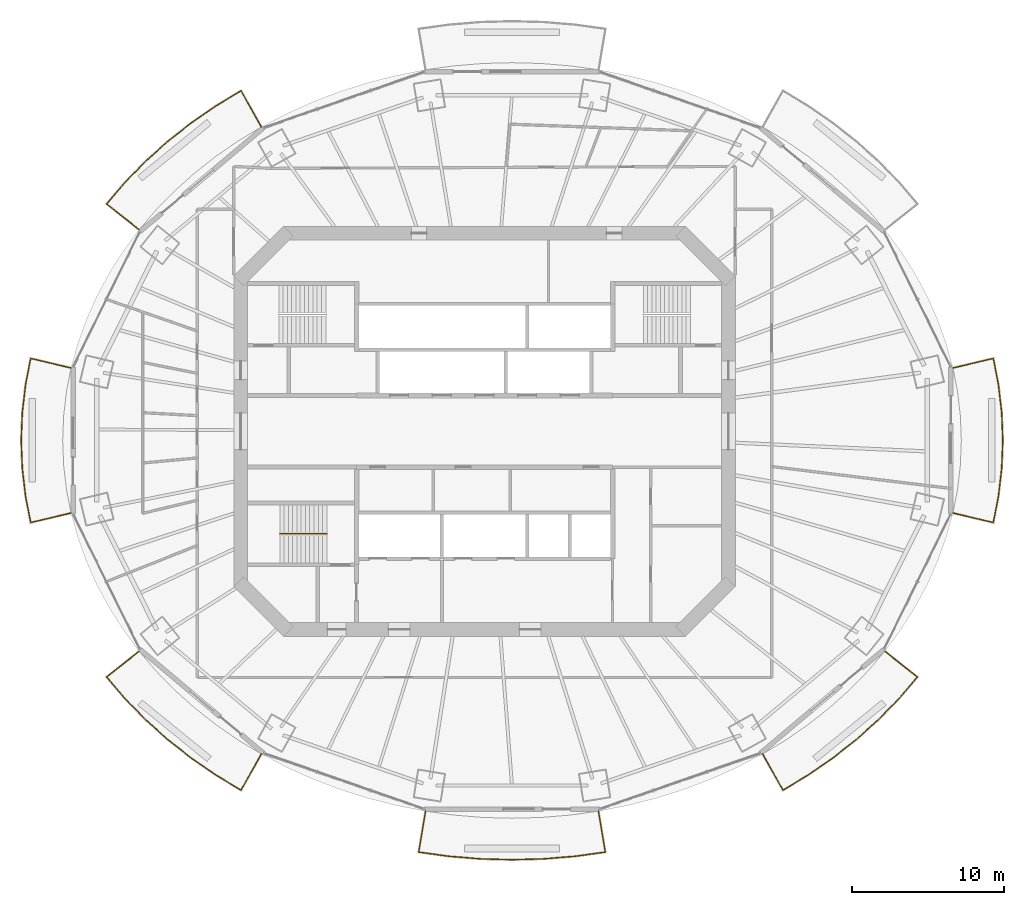
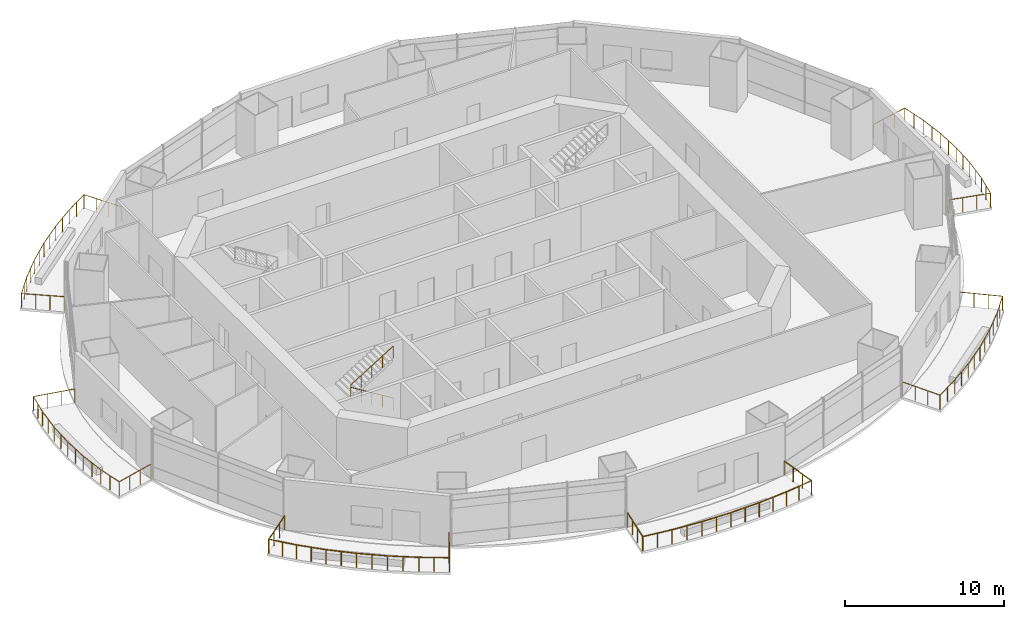
# One storey, part 14 of 16: 7 railings.
"""IFC4 building model written with IfcOpenShell, lengths in metres."""

from ifc_helpers import new_model, si_unit, direction, frame, origin, origin_2d, place, context, subcontext, project, spatial, circle, extrude, material, type_object, element, save


model = new_model("IFC4")

# Units and contexts
model_context = context("Model", 3, precision=1e-05, world=origin(), true_north=direction((0.0, 1.0)))
body_context = subcontext(model_context, "Body", "Model", "MODEL_VIEW")
ifc_project = project(units=[si_unit("LENGTHUNIT", "METRE"), si_unit("AREAUNIT", "SQUARE_METRE"), si_unit("VOLUMEUNIT", "CUBIC_METRE"), si_unit("PLANEANGLEUNIT", "RADIAN"), si_unit("MASSUNIT", "GRAM", prefix="KILO")], contexts=[model_context])

# Site, building, storey
site_placement = place(None, origin())
site = spatial("IfcSite", under=ifc_project, at=site_placement, CompositionType="ELEMENT")
building_placement = place(site_placement, origin())
building = spatial("IfcBuilding", under=site, at=building_placement, Name="Marenthal Gate Tower", CompositionType="ELEMENT")
storey_placement = place(building_placement, frame((0.0, 0.0, 268.949951171875)))
storey = spatial("IfcBuildingStorey", under=building, at=storey_placement, Name="L60", CompositionType="ELEMENT", Elevation=268.949951171875)

# Railings
ifc_material_1 = material(Name="Stainless steel", Category="steel")
railing_type_1 = type_object("IfcRailingType", Name="Balcony guard 1100", PredefinedType="GUARDRAIL", material=ifc_material_1)
railing_1_placement = place(storey_placement, frame((-22.662841796875, 13.234130859375, 0.0)))
element("IfcRailing", 1, at=railing_1_placement, inside=storey, type_object=railing_type_1, Name="Balcony guard L60 bay 6", PredefinedType="GUARDRAIL", context=body_context, shape_type="SweptSolid", body=[
    extrude(circle(Radius=0.02392578125, at=origin_2d()), frame((0.0, 0.0, 1.076171875), z_axis=(-0.783133988628, 0.621678792027, -0.014718539323), x_axis=(-0.621746141787, -0.783218829685, 0.0)), (0.0, 0.0, 1.0), 2.72021484375),
    extrude(circle(Radius=0.02392578125, at=origin_2d()), frame((-2.13037109375, 1.691162109375, 1.0361328125), z_axis=(0.649762582355, 0.760137215621, 0.0), x_axis=(-0.760137215621, 0.649762582355, 0.0)), (0.0, 0.0, 1.0), 1.838134765625),
    extrude(circle(Radius=0.02392578125, at=origin_2d()), frame((-0.93603515625, 3.08837890625, 1.0361328125), z_axis=(0.698468992186, 0.715640319543, 0.0), x_axis=(-0.715640319543, 0.698468992186, 0.0)), (0.0, 0.0, 1.0), 1.93359375),
    extrude(circle(Radius=0.02392578125, at=origin_2d()), frame((0.41455078125, 4.47216796875, 1.0361328125), z_axis=(0.744090634805, 0.668078683387, 0.0), x_axis=(-0.668078683387, 0.744090634805, 0.0)), (0.0, 0.0, 1.0), 1.94970703125),
    extrude(circle(Radius=0.02392578125, at=origin_2d()), frame((1.865234375, 5.774658203125, 1.0361328125), z_axis=(0.78557216762, 0.618770045705, 0.0), x_axis=(-0.618770045705, 0.78557216762, 0.0)), (0.0, 0.0, 1.0), 1.965576171875),
    extrude(circle(Radius=0.02392578125, at=origin_2d()), frame((3.409423828125, 6.990966796875, 1.0361328125), z_axis=(0.823034037929, 0.567992053122, 0.0), x_axis=(-0.567992053122, 0.823034037929, 0.0)), (0.0, 0.0, 1.0), 1.9814453125),
    extrude(circle(Radius=0.02392578125, at=origin_2d()), frame((5.040283203125, 8.116455078125, 1.0361328125), z_axis=(0.855836862024, 0.517245846383, 0.0), x_axis=(-0.517245846383, 0.855836862024, 0.0)), (0.0, 0.0, 1.0), 1.917236328125),
    extrude(circle(Radius=0.02392578125, at=origin_2d()), frame((6.68115234375, 9.108154296875, 1.0361328125), z_axis=(0.490110126521, -0.87153624586, 0.01471856084), x_axis=(0.871630664279, 0.490163222905, 0.0)), (0.0, 0.0, 1.0), 2.72021484375),
    extrude(circle(Radius=0.02099609375, at=origin_2d()), origin(), (0.0, 0.0, 1.0), 1.052001953125),
    extrude(circle(Radius=0.02099609375, at=origin_2d()), frame((-0.710205078125, 0.563720703125, -0.013427734375)), (0.0, 0.0, 1.0), 1.052001953125),
    extrude(circle(Radius=0.02099609375, at=origin_2d()), frame((-1.420166015625, 1.12744140625, -0.026611328125)), (0.0, 0.0, 1.0), 1.052001953125),
    extrude(circle(Radius=0.02099609375, at=origin_2d()), frame((-2.13037109375, 1.691162109375, -0.0400390625)), (0.0, 0.0, 1.0), 1.052001953125),
    extrude(circle(Radius=0.02099609375, at=origin_2d()), frame((-1.533203125, 2.3896484375, -0.0400390625)), (0.0, 0.0, 1.0), 1.052001953125),
    extrude(circle(Radius=0.02099609375, at=origin_2d()), frame((-0.93603515625, 3.08837890625, -0.0400390625)), (0.0, 0.0, 1.0), 1.052001953125),
    extrude(circle(Radius=0.02099609375, at=origin_2d()), frame((-0.2607421875, 3.7802734375, -0.0400390625)), (0.0, 0.0, 1.0), 1.052001953125),
    extrude(circle(Radius=0.02099609375, at=origin_2d()), frame((0.41455078125, 4.47216796875, -0.0400390625)), (0.0, 0.0, 1.0), 1.052001953125),
    extrude(circle(Radius=0.02099609375, at=origin_2d()), frame((1.139892578125, 5.12353515625, -0.0400390625)), (0.0, 0.0, 1.0), 1.052001953125),
    extrude(circle(Radius=0.02099609375, at=origin_2d()), frame((1.865234375, 5.774658203125, -0.0400390625)), (0.0, 0.0, 1.0), 1.052001953125),
    extrude(circle(Radius=0.02099609375, at=origin_2d()), frame((2.63720703125, 6.3828125, -0.0400390625)), (0.0, 0.0, 1.0), 1.052001953125),
    extrude(circle(Radius=0.02099609375, at=origin_2d()), frame((3.409423828125, 6.990966796875, -0.0400390625)), (0.0, 0.0, 1.0), 1.052001953125),
    extrude(circle(Radius=0.02099609375, at=origin_2d()), frame((4.224853515625, 7.5537109375, -0.0400390625)), (0.0, 0.0, 1.0), 1.052001953125),
    extrude(circle(Radius=0.02099609375, at=origin_2d()), frame((5.040283203125, 8.116455078125, -0.0400390625)), (0.0, 0.0, 1.0), 1.052001953125),
    extrude(circle(Radius=0.02099609375, at=origin_2d()), frame((5.86083984375, 8.6123046875, -0.0400390625)), (0.0, 0.0, 1.0), 1.052001953125),
    extrude(circle(Radius=0.02099609375, at=origin_2d()), frame((6.68115234375, 9.108154296875, -0.0400390625)), (0.0, 0.0, 1.0), 1.052001953125),
    extrude(circle(Radius=0.02099609375, at=origin_2d()), frame((7.12548828125, 8.31787109375, -0.026611328125)), (0.0, 0.0, 1.0), 1.052001953125),
    extrude(circle(Radius=0.02099609375, at=origin_2d()), frame((7.570068359375, 7.527587890625, -0.013427734375)), (0.0, 0.0, 1.0), 1.052001953125),
    extrude(circle(Radius=0.02099609375, at=origin_2d()), frame((8.014404296875, 6.7373046875, 0.0)), (0.0, 0.0, 1.0), 1.052001953125),
])
railing_2_placement = place(storey_placement, frame((-27.1328125, -5.358154296875, 0.0)))
element("IfcRailing", 2, at=railing_2_placement, inside=storey, type_object=railing_type_1, Name="Balcony guard L60 bay 8", PredefinedType="GUARDRAIL", context=body_context, shape_type="SweptSolid", body=[
    extrude(circle(Radius=0.02392578125, at=origin_2d()), frame((0.0, 0.0, 1.076171875), z_axis=(-0.973097096147, -0.229924814196, -0.014718059925), x_axis=(0.229949721547, -0.973202510046, 0.0)), (0.0, 0.0, 1.0), 2.720458984375),
    extrude(circle(Radius=0.02392578125, at=origin_2d()), frame((-2.647216796875, -0.62548828125, 1.0361328125), z_axis=(-0.190992168811, 0.981591560402, 0.0), x_axis=(-0.981591560402, -0.190992168811, 0.0)), (0.0, 0.0, 1.0), 1.76025390625),
    extrude(circle(Radius=0.02392578125, at=origin_2d()), frame((-2.9833984375, 1.102294921875, 1.0361328125), z_axis=(-0.116223982804, 0.993223029244, 0.0), x_axis=(-0.993223029244, -0.116223982804, 0.0)), (0.0, 0.0, 1.0), 1.8359375),
    extrude(circle(Radius=0.02392578125, at=origin_2d()), frame((-3.19677734375, 2.92578125, 1.0361328125), z_axis=(-0.038877979739, 0.999243965552, 0.0), x_axis=(-0.999243965552, -0.038877979739, 0.0)), (0.0, 0.0, 1.0), 1.833740234375),
    extrude(circle(Radius=0.02392578125, at=origin_2d()), frame((-3.26806640625, 4.758056640625, 1.0361328125), z_axis=(0.038872807979, 0.999244166758, 0.0), x_axis=(-0.999244166758, 0.038872807979, 0.0)), (0.0, 0.0, 1.0), 1.833984375),
    extrude(circle(Radius=0.02392578125, at=origin_2d()), frame((-3.19677734375, 6.590576171875, 1.0361328125), z_axis=(0.116223982804, 0.993223029244, 0.0), x_axis=(-0.993223029244, 0.116223982804, 0.0)), (0.0, 0.0, 1.0), 1.8359375),
    extrude(circle(Radius=0.02392578125, at=origin_2d()), frame((-2.9833984375, 8.4140625, 1.0361328125), z_axis=(0.190992168811, 0.981591560402, 0.0), x_axis=(-0.981591560402, 0.190992168811, 0.0)), (0.0, 0.0, 1.0), 1.76025390625),
    extrude(circle(Radius=0.02392578125, at=origin_2d()), frame((-2.647216796875, 10.141845703125, 1.0361328125), z_axis=(0.973077013542, -0.230009811464, 0.014717756176), x_axis=(0.230034726995, 0.973182420914, 0.0)), (0.0, 0.0, 1.0), 2.720458984375),
    extrude(circle(Radius=0.02099609375, at=origin_2d()), origin(), (0.0, 0.0, 1.0), 1.052001953125),
    extrude(circle(Radius=0.02099609375, at=origin_2d()), frame((-0.88232421875, -0.20849609375, -0.013427734375)), (0.0, 0.0, 1.0), 1.052001953125),
    extrude(circle(Radius=0.02099609375, at=origin_2d()), frame((-1.764892578125, -0.4169921875, -0.026611328125)), (0.0, 0.0, 1.0), 1.052001953125),
    extrude(circle(Radius=0.02099609375, at=origin_2d()), frame((-2.647216796875, -0.62548828125, -0.0400390625)), (0.0, 0.0, 1.0), 1.052001953125),
    extrude(circle(Radius=0.02099609375, at=origin_2d()), frame((-2.8154296875, 0.23828125, -0.0400390625)), (0.0, 0.0, 1.0), 1.052001953125),
    extrude(circle(Radius=0.02099609375, at=origin_2d()), frame((-2.9833984375, 1.102294921875, -0.0400390625)), (0.0, 0.0, 1.0), 1.052001953125),
    extrude(circle(Radius=0.02099609375, at=origin_2d()), frame((-3.090087890625, 2.01416015625, -0.0400390625)), (0.0, 0.0, 1.0), 1.052001953125),
    extrude(circle(Radius=0.02099609375, at=origin_2d()), frame((-3.19677734375, 2.92578125, -0.0400390625)), (0.0, 0.0, 1.0), 1.052001953125),
    extrude(circle(Radius=0.02099609375, at=origin_2d()), frame((-3.232421875, 3.841796875, -0.0400390625)), (0.0, 0.0, 1.0), 1.052001953125),
    extrude(circle(Radius=0.02099609375, at=origin_2d()), frame((-3.26806640625, 4.758056640625, -0.0400390625)), (0.0, 0.0, 1.0), 1.052001953125),
    extrude(circle(Radius=0.02099609375, at=origin_2d()), frame((-3.232421875, 5.67431640625, -0.0400390625)), (0.0, 0.0, 1.0), 1.052001953125),
    extrude(circle(Radius=0.02099609375, at=origin_2d()), frame((-3.19677734375, 6.590576171875, -0.0400390625)), (0.0, 0.0, 1.0), 1.052001953125),
    extrude(circle(Radius=0.02099609375, at=origin_2d()), frame((-3.090087890625, 7.50244140625, -0.0400390625)), (0.0, 0.0, 1.0), 1.052001953125),
    extrude(circle(Radius=0.02099609375, at=origin_2d()), frame((-2.9833984375, 8.4140625, -0.0400390625)), (0.0, 0.0, 1.0), 1.052001953125),
    extrude(circle(Radius=0.02099609375, at=origin_2d()), frame((-2.8154296875, 9.27783203125, -0.0400390625)), (0.0, 0.0, 1.0), 1.052001953125),
    extrude(circle(Radius=0.02099609375, at=origin_2d()), frame((-2.647216796875, 10.141845703125, -0.0400390625)), (0.0, 0.0, 1.0), 1.052001953125),
    extrude(circle(Radius=0.02099609375, at=origin_2d()), frame((-1.764892578125, 9.933349609375, -0.026611328125)), (0.0, 0.0, 1.0), 1.052001953125),
    extrude(circle(Radius=0.02099609375, at=origin_2d()), frame((-0.88232421875, 9.724609375, -0.013427734375)), (0.0, 0.0, 1.0), 1.052001953125),
    extrude(circle(Radius=0.02099609375, at=origin_2d()), frame((0.0, 9.51611328125, 0.0)), (0.0, 0.0, 1.0), 1.052001953125),
])
railing_3_placement = place(storey_placement, frame((-14.6484375, -21.17138671875, 0.0)))
element("IfcRailing", 3, at=railing_3_placement, inside=storey, type_object=railing_type_1, Name="Balcony guard L60 bay 10", PredefinedType="GUARDRAIL", context=body_context, shape_type="SweptSolid", body=[
    extrude(circle(Radius=0.02392578125, at=origin_2d()), frame((0.0, 0.0, 1.076171875), z_axis=(-0.490110126521, -0.87153624586, -0.01471856084), x_axis=(0.871630664279, -0.490163222905, 0.0)), (0.0, 0.0, 1.0), 2.72021484375),
    extrude(circle(Radius=0.02392578125, at=origin_2d()), frame((-1.333251953125, -2.370849609375, 1.0361328125), z_axis=(-0.855836862024, 0.517245846383, 0.0), x_axis=(-0.517245846383, -0.855836862024, 0.0)), (0.0, 0.0, 1.0), 1.917236328125),
    extrude(circle(Radius=0.02392578125, at=origin_2d()), frame((-2.97412109375, -1.379150390625, 1.0361328125), z_axis=(-0.823034037929, 0.567992053122, 0.0), x_axis=(-0.567992053122, -0.823034037929, 0.0)), (0.0, 0.0, 1.0), 1.9814453125),
    extrude(circle(Radius=0.02392578125, at=origin_2d()), frame((-4.60498046875, -0.253662109375, 1.0361328125), z_axis=(-0.785632541266, 0.618693389414, 0.0), x_axis=(-0.618693389414, -0.785632541266, 0.0)), (0.0, 0.0, 1.0), 1.965576171875),
    extrude(circle(Radius=0.02392578125, at=origin_2d()), frame((-6.149169921875, 0.96240234375, 1.0361328125), z_axis=(-0.744090634805, 0.668078683387, 0.0), x_axis=(-0.668078683387, -0.744090634805, 0.0)), (0.0, 0.0, 1.0), 1.94970703125),
    extrude(circle(Radius=0.02392578125, at=origin_2d()), frame((-7.599853515625, 2.264892578125, 1.0361328125), z_axis=(-0.698405883907, 0.715701908147, 0.0), x_axis=(-0.715701908147, -0.698405883907, 0.0)), (0.0, 0.0, 1.0), 1.933837890625),
    extrude(circle(Radius=0.02392578125, at=origin_2d()), frame((-8.950439453125, 3.64892578125, 1.0361328125), z_axis=(-0.649828188236, 0.760081131047, 0.0), x_axis=(-0.760081131047, -0.649828188236, 0.0)), (0.0, 0.0, 1.0), 1.837890625),
    extrude(circle(Radius=0.02392578125, at=origin_2d()), frame((-10.144775390625, 5.0458984375, 1.0361328125), z_axis=(0.783090295012, 0.62173384871, 0.014717718128), x_axis=(-0.621801196917, 0.783175121868, 0.0)), (0.0, 0.0, 1.0), 2.720458984375),
    extrude(circle(Radius=0.02099609375, at=origin_2d()), origin(), (0.0, 0.0, 1.0), 1.052001953125),
    extrude(circle(Radius=0.02099609375, at=origin_2d()), frame((-0.4443359375, -0.790283203125, -0.013427734375)), (0.0, 0.0, 1.0), 1.052001953125),
    extrude(circle(Radius=0.02099609375, at=origin_2d()), frame((-0.888916015625, -1.58056640625, -0.026611328125)), (0.0, 0.0, 1.0), 1.052001953125),
    extrude(circle(Radius=0.02099609375, at=origin_2d()), frame((-1.333251953125, -2.370849609375, -0.0400390625)), (0.0, 0.0, 1.0), 1.052001953125),
    extrude(circle(Radius=0.02099609375, at=origin_2d()), frame((-2.15380859375, -1.875, -0.0400390625)), (0.0, 0.0, 1.0), 1.052001953125),
    extrude(circle(Radius=0.02099609375, at=origin_2d()), frame((-2.97412109375, -1.379150390625, -0.0400390625)), (0.0, 0.0, 1.0), 1.052001953125),
    extrude(circle(Radius=0.02099609375, at=origin_2d()), frame((-3.78955078125, -0.81640625, -0.0400390625)), (0.0, 0.0, 1.0), 1.052001953125),
    extrude(circle(Radius=0.02099609375, at=origin_2d()), frame((-4.60498046875, -0.253662109375, -0.0400390625)), (0.0, 0.0, 1.0), 1.052001953125),
    extrude(circle(Radius=0.02099609375, at=origin_2d()), frame((-5.376953125, 0.3544921875, -0.0400390625)), (0.0, 0.0, 1.0), 1.052001953125),
    extrude(circle(Radius=0.02099609375, at=origin_2d()), frame((-6.149169921875, 0.96240234375, -0.0400390625)), (0.0, 0.0, 1.0), 1.052001953125),
    extrude(circle(Radius=0.02099609375, at=origin_2d()), frame((-6.87451171875, 1.61376953125, -0.0400390625)), (0.0, 0.0, 1.0), 1.052001953125),
    extrude(circle(Radius=0.02099609375, at=origin_2d()), frame((-7.599853515625, 2.264892578125, -0.0400390625)), (0.0, 0.0, 1.0), 1.052001953125),
    extrude(circle(Radius=0.02099609375, at=origin_2d()), frame((-8.275146484375, 2.95703125, -0.0400390625)), (0.0, 0.0, 1.0), 1.052001953125),
    extrude(circle(Radius=0.02099609375, at=origin_2d()), frame((-8.950439453125, 3.64892578125, -0.0400390625)), (0.0, 0.0, 1.0), 1.052001953125),
    extrude(circle(Radius=0.02099609375, at=origin_2d()), frame((-9.547607421875, 4.347412109375, -0.0400390625)), (0.0, 0.0, 1.0), 1.052001953125),
    extrude(circle(Radius=0.02099609375, at=origin_2d()), frame((-10.144775390625, 5.0458984375, -0.0400390625)), (0.0, 0.0, 1.0), 1.052001953125),
    extrude(circle(Radius=0.02099609375, at=origin_2d()), frame((-9.4345703125, 5.609619140625, -0.026611328125)), (0.0, 0.0, 1.0), 1.052001953125),
    extrude(circle(Radius=0.02099609375, at=origin_2d()), frame((-8.724609375, 6.173583984375, -0.013427734375)), (0.0, 0.0, 1.0), 1.052001953125),
    extrude(circle(Radius=0.02099609375, at=origin_2d()), frame((-8.014404296875, 6.7373046875, 0.0)), (0.0, 0.0, 1.0), 1.052001953125),
])
railing_4_placement = place(storey_placement, frame((7.47265625, -24.9248046875, 0.0)))
element("IfcRailing", 4, at=railing_4_placement, inside=storey, type_object=railing_type_1, Name="Balcony guard L60 bay 12", PredefinedType="GUARDRAIL", context=body_context, shape_type="SweptSolid", body=[
    extrude(circle(Radius=0.02392578125, at=origin_2d()), frame((0.0, 0.0, 1.076171875), z_axis=(0.165036020711, -0.986177722452, -0.014717731048), x_axis=(0.986284548578, 0.165053897974, 0.0)), (0.0, 0.0, 1.0), 2.720458984375),
    extrude(circle(Radius=0.02392578125, at=origin_2d()), frame((0.448974609375, -2.682861328125, 1.0361328125), z_axis=(-0.990659403163, -0.136359623512, 0.0), x_axis=(0.136359623512, -0.990659403163, 0.0)), (0.0, 0.0, 1.0), 1.99267578125),
    extrude(circle(Radius=0.02392578125, at=origin_2d()), frame((-1.525146484375, -2.95458984375, 1.0361328125), z_axis=(-0.996588596439, -0.082529809449, 0.0), x_axis=(0.082529809449, -0.996588596439, 0.0)), (0.0, 0.0, 1.0), 2.07666015625),
    extrude(circle(Radius=0.02392578125, at=origin_2d()), frame((-3.5947265625, -3.1259765625, 1.0361328125), z_axis=(-0.999622258755, -0.027483445958, 0.0), x_axis=(0.027483445958, -0.999622258755, 0.0)), (0.0, 0.0, 1.0), 2.07861328125),
    extrude(circle(Radius=0.02392578125, at=origin_2d()), frame((-5.672607421875, -3.18310546875, 1.0361328125), z_axis=(-0.999622258755, 0.027483445958, 0.0), x_axis=(-0.027483445958, -0.999622258755, 0.0)), (0.0, 0.0, 1.0), 2.07861328125),
    extrude(circle(Radius=0.02392578125, at=origin_2d()), frame((-7.75048828125, -3.1259765625, 1.0361328125), z_axis=(-0.996588596439, 0.082529809449, 0.0), x_axis=(-0.082529809449, -0.996588596439, 0.0)), (0.0, 0.0, 1.0), 2.07666015625),
    extrude(circle(Radius=0.02392578125, at=origin_2d()), frame((-9.820068359375, -2.95458984375, 1.0361328125), z_axis=(-0.990661680793, 0.136343075395, 0.0), x_axis=(-0.136343075395, -0.990661680793, 0.0)), (0.0, 0.0, 1.0), 1.992919921875),
    extrude(circle(Radius=0.02392578125, at=origin_2d()), frame((-11.79443359375, -2.682861328125, 1.0361328125), z_axis=(0.165123316733, 0.986163112817, 0.014717513013), x_axis=(-0.986269934195, 0.165141202923, 0.0)), (0.0, 0.0, 1.0), 2.720458984375),
    extrude(circle(Radius=0.02099609375, at=origin_2d()), origin(), (0.0, 0.0, 1.0), 1.052001953125),
    extrude(circle(Radius=0.02099609375, at=origin_2d()), frame((0.149658203125, -0.894287109375, -0.013427734375)), (0.0, 0.0, 1.0), 1.052001953125),
    extrude(circle(Radius=0.02099609375, at=origin_2d()), frame((0.29931640625, -1.78857421875, -0.026611328125)), (0.0, 0.0, 1.0), 1.052001953125),
    extrude(circle(Radius=0.02099609375, at=origin_2d()), frame((0.448974609375, -2.682861328125, -0.0400390625)), (0.0, 0.0, 1.0), 1.052001953125),
    extrude(circle(Radius=0.02099609375, at=origin_2d()), frame((-0.5380859375, -2.81884765625, -0.0400390625)), (0.0, 0.0, 1.0), 1.052001953125),
    extrude(circle(Radius=0.02099609375, at=origin_2d()), frame((-1.525146484375, -2.95458984375, -0.0400390625)), (0.0, 0.0, 1.0), 1.052001953125),
    extrude(circle(Radius=0.02099609375, at=origin_2d()), frame((-2.56005859375, -3.040283203125, -0.0400390625)), (0.0, 0.0, 1.0), 1.052001953125),
    extrude(circle(Radius=0.02099609375, at=origin_2d()), frame((-3.5947265625, -3.1259765625, -0.0400390625)), (0.0, 0.0, 1.0), 1.052001953125),
    extrude(circle(Radius=0.02099609375, at=origin_2d()), frame((-4.6337890625, -3.154541015625, -0.0400390625)), (0.0, 0.0, 1.0), 1.052001953125),
    extrude(circle(Radius=0.02099609375, at=origin_2d()), frame((-5.672607421875, -3.18310546875, -0.0400390625)), (0.0, 0.0, 1.0), 1.052001953125),
    extrude(circle(Radius=0.02099609375, at=origin_2d()), frame((-6.71142578125, -3.154541015625, -0.0400390625)), (0.0, 0.0, 1.0), 1.052001953125),
    extrude(circle(Radius=0.02099609375, at=origin_2d()), frame((-7.75048828125, -3.1259765625, -0.0400390625)), (0.0, 0.0, 1.0), 1.052001953125),
    extrude(circle(Radius=0.02099609375, at=origin_2d()), frame((-8.78515625, -3.040283203125, -0.0400390625)), (0.0, 0.0, 1.0), 1.052001953125),
    extrude(circle(Radius=0.02099609375, at=origin_2d()), frame((-9.820068359375, -2.95458984375, -0.0400390625)), (0.0, 0.0, 1.0), 1.052001953125),
    extrude(circle(Radius=0.02099609375, at=origin_2d()), frame((-10.80712890625, -2.81884765625, -0.0400390625)), (0.0, 0.0, 1.0), 1.052001953125),
    extrude(circle(Radius=0.02099609375, at=origin_2d()), frame((-11.79443359375, -2.682861328125, -0.0400390625)), (0.0, 0.0, 1.0), 1.052001953125),
    extrude(circle(Radius=0.02099609375, at=origin_2d()), frame((-11.644775390625, -1.78857421875, -0.026611328125)), (0.0, 0.0, 1.0), 1.052001953125),
    extrude(circle(Radius=0.02099609375, at=origin_2d()), frame((-11.494873046875, -0.894287109375, -0.013427734375)), (0.0, 0.0, 1.0), 1.052001953125),
    extrude(circle(Radius=0.02099609375, at=origin_2d()), frame((-11.34521484375, 0.0, 0.0)), (0.0, 0.0, 1.0), 1.052001953125),
])
railing_5_placement = place(storey_placement, frame((26.262939453125, -14.43408203125, 0.0)))
element("IfcRailing", 5, at=railing_5_placement, inside=storey, type_object=railing_type_1, Name="Balcony guard L60 bay 14", PredefinedType="GUARDRAIL", context=body_context, shape_type="SweptSolid", body=[
    extrude(circle(Radius=0.02392578125, at=origin_2d()), frame((0.0, 0.0, 1.076171875), z_axis=(0.783055581805, -0.621777543925, -0.014718752483), x_axis=(0.621844906334, 0.783140416826, 0.0)), (0.0, 0.0, 1.0), 2.72021484375),
    extrude(circle(Radius=0.02392578125, at=origin_2d()), frame((2.130126953125, -1.69140625, 1.0361328125), z_axis=(-0.649828188236, -0.760081131047, 0.0), x_axis=(0.760081131047, -0.649828188236, 0.0)), (0.0, 0.0, 1.0), 1.837890625),
    extrude(circle(Radius=0.02392578125, at=origin_2d()), frame((0.935791015625, -3.08837890625, 1.0361328125), z_axis=(-0.698341207258, -0.715765016081, 0.0), x_axis=(0.715765016081, -0.698341207258, 0.0)), (0.0, 0.0, 1.0), 1.93359375),
    extrude(circle(Radius=0.02392578125, at=origin_2d()), frame((-0.41455078125, -4.472412109375, 1.0361328125), z_axis=(-0.744090634805, -0.668078683387, 0.0), x_axis=(0.668078683387, -0.744090634805, 0.0)), (0.0, 0.0, 1.0), 1.94970703125),
    extrude(circle(Radius=0.02392578125, at=origin_2d()), frame((-1.865234375, -5.77490234375, 1.0361328125), z_axis=(-0.785632541266, -0.618693389414, 0.0), x_axis=(0.618693389414, -0.785632541266, 0.0)), (0.0, 0.0, 1.0), 1.965576171875),
    extrude(circle(Radius=0.02392578125, at=origin_2d()), frame((-3.409423828125, -6.990966796875, 1.0361328125), z_axis=(-0.823073780852, -0.567934460369, 0.0), x_axis=(0.567934460369, -0.823073780852, 0.0)), (0.0, 0.0, 1.0), 1.981689453125),
    extrude(circle(Radius=0.02392578125, at=origin_2d()), frame((-5.04052734375, -8.116455078125, 1.0361328125), z_axis=(-0.855802788103, -0.517302221023, 0.0), x_axis=(0.517302221023, -0.855802788103, 0.0)), (0.0, 0.0, 1.0), 1.9169921875),
    extrude(circle(Radius=0.02392578125, at=origin_2d()), frame((-6.68115234375, -9.108154296875, 1.0361328125), z_axis=(-0.490110126521, 0.87153624586, 0.01471856084), x_axis=(-0.871630664279, -0.490163222905, 0.0)), (0.0, 0.0, 1.0), 2.72021484375),
    extrude(circle(Radius=0.02099609375, at=origin_2d()), origin(), (0.0, 0.0, 1.0), 1.052001953125),
    extrude(circle(Radius=0.02099609375, at=origin_2d()), frame((0.7099609375, -0.563720703125, -0.013427734375)), (0.0, 0.0, 1.0), 1.052001953125),
    extrude(circle(Radius=0.02099609375, at=origin_2d()), frame((1.420166015625, -1.127685546875, -0.026611328125)), (0.0, 0.0, 1.0), 1.052001953125),
    extrude(circle(Radius=0.02099609375, at=origin_2d()), frame((2.130126953125, -1.69140625, -0.0400390625)), (0.0, 0.0, 1.0), 1.052001953125),
    extrude(circle(Radius=0.02099609375, at=origin_2d()), frame((1.532958984375, -2.389892578125, -0.0400390625)), (0.0, 0.0, 1.0), 1.052001953125),
    extrude(circle(Radius=0.02099609375, at=origin_2d()), frame((0.935791015625, -3.08837890625, -0.0400390625)), (0.0, 0.0, 1.0), 1.052001953125),
    extrude(circle(Radius=0.02099609375, at=origin_2d()), frame((0.2607421875, -3.7802734375, -0.0400390625)), (0.0, 0.0, 1.0), 1.052001953125),
    extrude(circle(Radius=0.02099609375, at=origin_2d()), frame((-0.41455078125, -4.472412109375, -0.0400390625)), (0.0, 0.0, 1.0), 1.052001953125),
    extrude(circle(Radius=0.02099609375, at=origin_2d()), frame((-1.139892578125, -5.12353515625, -0.0400390625)), (0.0, 0.0, 1.0), 1.052001953125),
    extrude(circle(Radius=0.02099609375, at=origin_2d()), frame((-1.865234375, -5.77490234375, -0.0400390625)), (0.0, 0.0, 1.0), 1.052001953125),
    extrude(circle(Radius=0.02099609375, at=origin_2d()), frame((-2.63720703125, -6.3828125, -0.0400390625)), (0.0, 0.0, 1.0), 1.052001953125),
    extrude(circle(Radius=0.02099609375, at=origin_2d()), frame((-3.409423828125, -6.990966796875, -0.0400390625)), (0.0, 0.0, 1.0), 1.052001953125),
    extrude(circle(Radius=0.02099609375, at=origin_2d()), frame((-4.22509765625, -7.5537109375, -0.0400390625)), (0.0, 0.0, 1.0), 1.052001953125),
    extrude(circle(Radius=0.02099609375, at=origin_2d()), frame((-5.04052734375, -8.116455078125, -0.0400390625)), (0.0, 0.0, 1.0), 1.052001953125),
    extrude(circle(Radius=0.02099609375, at=origin_2d()), frame((-5.86083984375, -8.6123046875, -0.0400390625)), (0.0, 0.0, 1.0), 1.052001953125),
    extrude(circle(Radius=0.02099609375, at=origin_2d()), frame((-6.68115234375, -9.108154296875, -0.0400390625)), (0.0, 0.0, 1.0), 1.052001953125),
    extrude(circle(Radius=0.02099609375, at=origin_2d()), frame((-7.12548828125, -8.31787109375, -0.026611328125)), (0.0, 0.0, 1.0), 1.052001953125),
    extrude(circle(Radius=0.02099609375, at=origin_2d()), frame((-7.570068359375, -7.527587890625, -0.013427734375)), (0.0, 0.0, 1.0), 1.052001953125),
    extrude(circle(Radius=0.02099609375, at=origin_2d()), frame((-8.014404296875, -6.7373046875, 0.0)), (0.0, 0.0, 1.0), 1.052001953125),
])
railing_6_placement = place(storey_placement, frame((30.73291015625, 4.157958984375, 0.0)))
element("IfcRailing", 6, at=railing_6_placement, inside=storey, type_object=railing_type_1, Name="Balcony guard L60 bay 16", PredefinedType="GUARDRAIL", context=body_context, shape_type="SweptSolid", body=[
    extrude(circle(Radius=0.02392578125, at=origin_2d()), frame((0.0, 0.0, 1.076171875), z_axis=(0.973077013542, 0.230009811464, -0.014717756176), x_axis=(-0.230034726995, 0.973182420914, 0.0)), (0.0, 0.0, 1.0), 2.720458984375),
    extrude(circle(Radius=0.02392578125, at=origin_2d()), frame((2.647216796875, 0.625732421875, 1.0361328125), z_axis=(0.190858521414, -0.981617555265, 0.0), x_axis=(0.981617555265, 0.190858521414, 0.0)), (0.0, 0.0, 1.0), 1.76025390625),
    extrude(circle(Radius=0.02392578125, at=origin_2d()), frame((2.983154296875, -1.10205078125, 1.0361328125), z_axis=(0.116355162859, -0.993207670166, 0.0), x_axis=(0.993207670166, 0.116355162859, 0.0)), (0.0, 0.0, 1.0), 1.8359375),
    extrude(circle(Radius=0.02392578125, at=origin_2d()), frame((3.19677734375, -2.925537109375, 1.0361328125), z_axis=(0.038872807979, -0.999244166758, 0.0), x_axis=(0.999244166758, 0.038872807979, 0.0)), (0.0, 0.0, 1.0), 1.833984375),
    extrude(circle(Radius=0.02392578125, at=origin_2d()), frame((3.26806640625, -4.758056640625, 1.0361328125), z_axis=(-0.038877979739, -0.999243965552, 0.0), x_axis=(0.999243965552, -0.038877979739, 0.0)), (0.0, 0.0, 1.0), 1.833740234375),
    extrude(circle(Radius=0.02392578125, at=origin_2d()), frame((3.19677734375, -6.59033203125, 1.0361328125), z_axis=(-0.116355162859, -0.993207670166, 0.0), x_axis=(0.993207670166, -0.116355162859, 0.0)), (0.0, 0.0, 1.0), 1.8359375),
    extrude(circle(Radius=0.02392578125, at=origin_2d()), frame((2.983154296875, -8.413818359375, 1.0361328125), z_axis=(-0.190858521414, -0.981617555265, 0.0), x_axis=(0.981617555265, -0.190858521414, 0.0)), (0.0, 0.0, 1.0), 1.76025390625),
    extrude(circle(Radius=0.02392578125, at=origin_2d()), frame((2.647216796875, -10.1416015625, 1.0361328125), z_axis=(-0.973097096147, 0.229924814196, 0.014718059925), x_axis=(-0.229949721547, -0.973202510046, 0.0)), (0.0, 0.0, 1.0), 2.720458984375),
    extrude(circle(Radius=0.02099609375, at=origin_2d()), origin(), (0.0, 0.0, 1.0), 1.052001953125),
    extrude(circle(Radius=0.02099609375, at=origin_2d()), frame((0.88232421875, 0.20849609375, -0.013427734375)), (0.0, 0.0, 1.0), 1.052001953125),
    extrude(circle(Radius=0.02099609375, at=origin_2d()), frame((1.764892578125, 0.417236328125, -0.026611328125)), (0.0, 0.0, 1.0), 1.052001953125),
    extrude(circle(Radius=0.02099609375, at=origin_2d()), frame((2.647216796875, 0.625732421875, -0.0400390625)), (0.0, 0.0, 1.0), 1.052001953125),
    extrude(circle(Radius=0.02099609375, at=origin_2d()), frame((2.815185546875, -0.23828125, -0.0400390625)), (0.0, 0.0, 1.0), 1.052001953125),
    extrude(circle(Radius=0.02099609375, at=origin_2d()), frame((2.983154296875, -1.10205078125, -0.0400390625)), (0.0, 0.0, 1.0), 1.052001953125),
    extrude(circle(Radius=0.02099609375, at=origin_2d()), frame((3.08984375, -2.013671875, -0.0400390625)), (0.0, 0.0, 1.0), 1.052001953125),
    extrude(circle(Radius=0.02099609375, at=origin_2d()), frame((3.19677734375, -2.925537109375, -0.0400390625)), (0.0, 0.0, 1.0), 1.052001953125),
    extrude(circle(Radius=0.02099609375, at=origin_2d()), frame((3.232421875, -3.841796875, -0.0400390625)), (0.0, 0.0, 1.0), 1.052001953125),
    extrude(circle(Radius=0.02099609375, at=origin_2d()), frame((3.26806640625, -4.758056640625, -0.0400390625)), (0.0, 0.0, 1.0), 1.052001953125),
    extrude(circle(Radius=0.02099609375, at=origin_2d()), frame((3.232421875, -5.67431640625, -0.0400390625)), (0.0, 0.0, 1.0), 1.052001953125),
    extrude(circle(Radius=0.02099609375, at=origin_2d()), frame((3.19677734375, -6.59033203125, -0.0400390625)), (0.0, 0.0, 1.0), 1.052001953125),
    extrude(circle(Radius=0.02099609375, at=origin_2d()), frame((3.08984375, -7.501953125, -0.0400390625)), (0.0, 0.0, 1.0), 1.052001953125),
    extrude(circle(Radius=0.02099609375, at=origin_2d()), frame((2.983154296875, -8.413818359375, -0.0400390625)), (0.0, 0.0, 1.0), 1.052001953125),
    extrude(circle(Radius=0.02099609375, at=origin_2d()), frame((2.815185546875, -9.27783203125, -0.0400390625)), (0.0, 0.0, 1.0), 1.052001953125),
    extrude(circle(Radius=0.02099609375, at=origin_2d()), frame((2.647216796875, -10.1416015625, -0.0400390625)), (0.0, 0.0, 1.0), 1.052001953125),
    extrude(circle(Radius=0.02099609375, at=origin_2d()), frame((1.764892578125, -9.93310546875, -0.026611328125)), (0.0, 0.0, 1.0), 1.052001953125),
    extrude(circle(Radius=0.02099609375, at=origin_2d()), frame((0.88232421875, -9.724609375, -0.013427734375)), (0.0, 0.0, 1.0), 1.052001953125),
    extrude(circle(Radius=0.02099609375, at=origin_2d()), frame((0.0, -9.51611328125, 0.0)), (0.0, 0.0, 1.0), 1.052001953125),
])
ifc_material_2 = material(Name="Stainless steel", Category="steel")
railing_type_2 = type_object("IfcRailingType", Name="Stair handrail", PredefinedType="HANDRAIL", material=ifc_material_2)
railing_7_placement = place(storey_placement, frame((-10.35009765625, -6.72509765625, 0.1728515625)))
element("IfcRailing", 7, at=railing_7_placement, inside=storey, type_object=railing_type_2, Name="Handrail ST2", PredefinedType="HANDRAIL", context=body_context, shape_type="SweptSolid", body=[
    extrude(circle(Radius=0.0224609375, at=origin_2d()), frame((0.0, 0.0, 0.927490234375), z_axis=(-0.850816621229, 0.0, 0.525462726595), x_axis=(0.0, -1.0, 0.0)), (0.0, 0.0, 1.0), 3.619873046875),
    extrude(circle(Radius=0.0224609375, at=origin_2d()), frame((-3.079833984375, 0.0, 2.82958984375), z_axis=(0.0, 0.0, 1.0), x_axis=(1.0, 0.0, 0.0)), (0.0, 0.0, 1.0), 0.173095703125),
    extrude(circle(Radius=0.0224609375, at=origin_2d()), frame((-3.079833984375, 0.0, 3.002685546875), z_axis=(0.850816621229, 0.0, 0.525462726595), x_axis=(0.0, 1.0, 0.0)), (0.0, 0.0, 1.0), 3.619873046875),
    extrude(circle(Radius=0.02001953125, at=origin_2d()), origin(), (0.0, 0.0, 1.0), 0.905029296875),
    extrude(circle(Radius=0.02001953125, at=origin_2d()), frame((-0.77001953125, 0.0, 0.4755859375)), (0.0, 0.0, 1.0), 0.905029296875),
    extrude(circle(Radius=0.02001953125, at=origin_2d()), frame((-1.5400390625, 0.0, 0.951171875)), (0.0, 0.0, 1.0), 0.905029296875),
    extrude(circle(Radius=0.02001953125, at=origin_2d()), frame((-2.309814453125, 0.0, 1.426513671875)), (0.0, 0.0, 1.0), 0.905029296875),
    extrude(circle(Radius=0.02001953125, at=origin_2d()), frame((-3.079833984375, 0.0, 1.902099609375)), (0.0, 0.0, 1.0), 0.905029296875),
    extrude(circle(Radius=0.02001953125, at=origin_2d()), frame((-3.079833984375, 0.0, 2.0751953125)), (0.0, 0.0, 1.0), 0.905029296875),
    extrude(circle(Radius=0.02001953125, at=origin_2d()), frame((-2.309814453125, 0.0, 2.55078125)), (0.0, 0.0, 1.0), 0.905029296875),
    extrude(circle(Radius=0.02001953125, at=origin_2d()), frame((-1.5400390625, 0.0, 3.0263671875)), (0.0, 0.0, 1.0), 0.905029296875),
    extrude(circle(Radius=0.02001953125, at=origin_2d()), frame((-0.77001953125, 0.0, 3.501708984375)), (0.0, 0.0, 1.0), 0.905029296875),
    extrude(circle(Radius=0.02001953125, at=origin_2d()), frame((0.0, 0.0, 3.977294921875)), (0.0, 0.0, 1.0), 0.905029296875),
])

save(model, "model.ifc")
